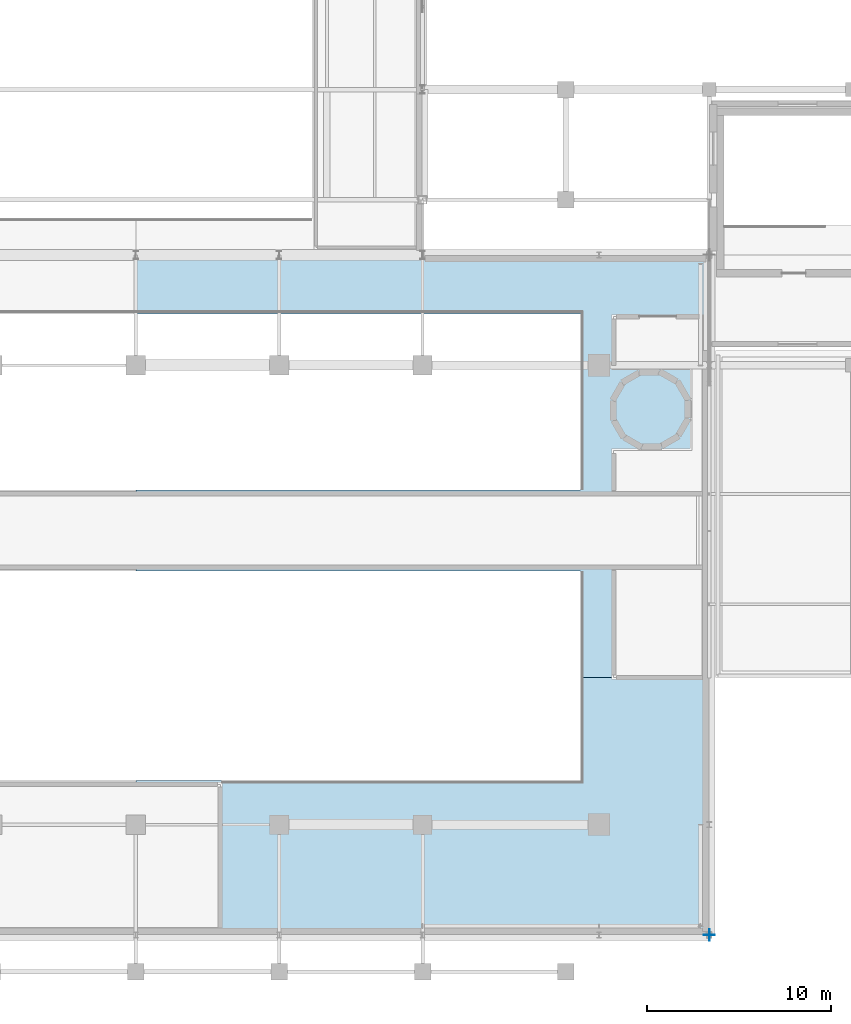
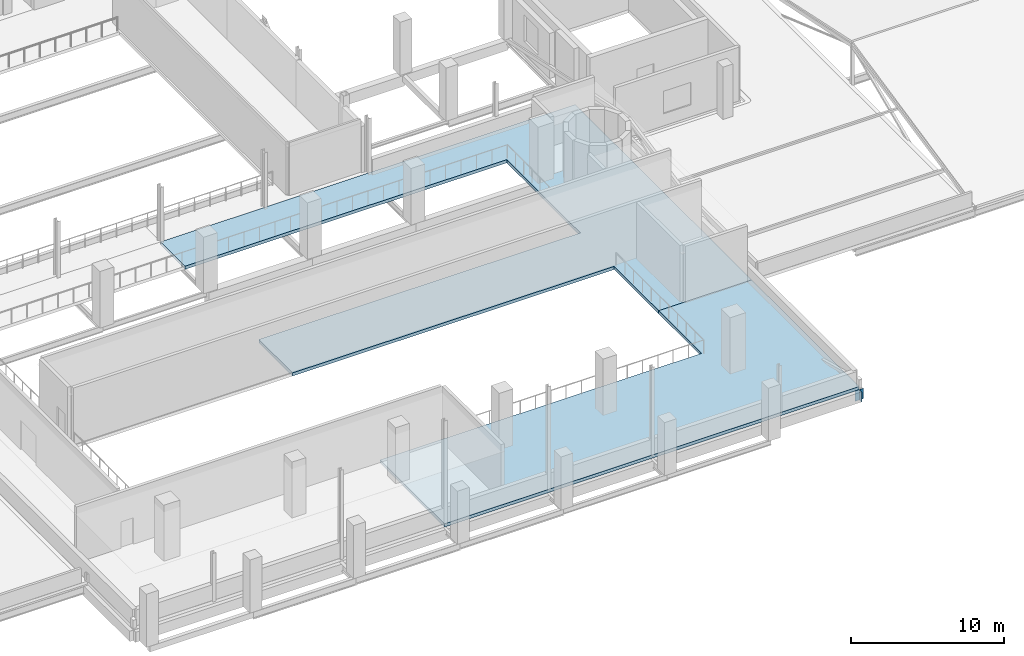
# One storey, part 56 of 85: 2 plates, 2 slabs.
"""IFC4 building model written with IfcOpenShell, lengths in metres."""

from ifc_helpers import new_model, si_unit, derived_unit, direction, frame, origin, origin_2d, place, context, subcontext, project, spatial, polyline, rectangle, outline, extrude, material, layer, layer_set, type_object, element, save


model = new_model("IFC4")

# Units and contexts
model_context = context("Model", 3, precision=1e-05, world=origin(), true_north=direction((0.0, 1.0)))
body_context = subcontext(model_context, "Body", "Model", "MODEL_VIEW")
ifc_project = project(units=[si_unit("LENGTHUNIT", "METRE"), si_unit("AREAUNIT", "SQUARE_METRE"), si_unit("VOLUMEUNIT", "CUBIC_METRE"), si_unit("PLANEANGLEUNIT", "RADIAN"), si_unit("MASSUNIT", "GRAM", prefix="KILO"), derived_unit("THERMALTRANSMITTANCEUNIT", [(si_unit("POWERUNIT", "WATT"), 1), (si_unit("LENGTHUNIT", "METRE"), -2), (si_unit("THERMODYNAMICTEMPERATUREUNIT", "KELVIN"), -1)])], contexts=[model_context])

# Site, building, storey
site_placement = place(None, origin())
site = spatial("IfcSite", under=ifc_project, at=site_placement, CompositionType="ELEMENT")
building_placement = place(site_placement, origin())
building = spatial("IfcBuilding", under=site, at=building_placement, Name="Nallur Shell Playhouse", CompositionType="ELEMENT")
storey_placement = place(building_placement, frame((0.0, 0.0, 19.800048828125)))
storey = spatial("IfcBuildingStorey", under=building, at=storey_placement, Name="L05", CompositionType="ELEMENT", Elevation=19.800048828125)

# Plates
ifc_material_1 = material(Name="Steel E350", Category="steel")
ifc_layer_1 = layer(ifc_material_1, 0.02001953125)
ifc_layer_set_1 = layer_set([ifc_layer_1], Name="Steel E350")
plate_type = type_object("IfcPlateType", Name="PT-ENDCAP-20", PredefinedType="SHEET", material=ifc_layer_set_1)
plate_1_placement = place(storey_placement, frame((118.610107421875, 10.0, -1.06005859375), z_axis=(0.0, 0.0, 1.0), x_axis=(1.0, 0.0, 0.0)))
element("IfcPlate", 1, at=plate_1_placement, inside=storey, type_object=plate_type, Name="Hollow end cap EC-GB-L05-SB", PredefinedType="SHEET", context=body_context, shape_type="SweptSolid", body=[
    extrude(rectangle(XDim=0.02001953125, YDim=0.6201171875, at=origin_2d()), origin(), (0.0, 0.0, 1.0), 0.820068359375),
])
plate_2_placement = place(storey_placement, frame((118.60009765625, 9.989990234375, -1.06005859375), z_axis=(0.0, 0.0, 1.0), x_axis=(1.0, 0.0, 0.0)))
element("IfcPlate", 2, at=plate_2_placement, inside=storey, type_object=plate_type, Name="Hollow end cap EC-GB-L05-EA", PredefinedType="SHEET", context=body_context, shape_type="SweptSolid", body=[
    extrude(rectangle(XDim=0.6201171875, YDim=0.02001953125, at=origin_2d()), origin(), (0.0, 0.0, 1.0), 0.820068359375),
])

# Slabs
ifc_material_2 = material(Name="Concrete M30", Category="concrete")
ifc_layer_2 = layer(ifc_material_2, 0.25)
ifc_layer_set_2 = layer_set([ifc_layer_2], Name="Concrete M30")
slab_type = type_object("IfcSlabType", Name="SL-UPPER-250", PredefinedType="FLOOR", material=ifc_layer_set_2)
slab_1_placement = place(storey_placement, frame((0.0, 0.0, -0.25)))
element("IfcSlab", 3, at=slab_1_placement, inside=storey, type_object=slab_type, Name="L05 structural floor slab panel 11", PredefinedType="FLOOR", context=body_context, shape_type="SweptSolid", body=[
    extrude(outline(polyline([(118.60009765625, 10.0), (87.39990234375, 10.0), (87.39990234375, 18.39990234375), (111.60009765625, 18.39990234375), (111.60009765625, 24.0), (118.60009765625, 24.0), (118.60009765625, 10.0)])), origin(), (0.0, 0.0, 1.0), 0.25),
])
slab_2_placement = place(storey_placement, frame((0.0, 0.0, -0.25)))
element("IfcSlab", 4, at=slab_2_placement, inside=storey, type_object=slab_type, Name="L05 structural floor slab panel 12", PredefinedType="FLOOR", context=body_context, shape_type="SweptSolid", body=[
    extrude(outline(polyline([(118.60009765625, 47.0), (118.60009765625, 42.0), (118.60009765625, 24.0), (111.60009765625, 24.0), (111.60009765625, 29.800048828125), (87.39990234375, 29.800048828125), (87.39990234375, 34.199951171875), (111.60009765625, 34.199951171875), (111.60009765625, 43.800048828125), (87.39990234375, 43.800048828125), (87.39990234375, 47.0), (103.0, 47.0), (118.60009765625, 47.0)])), origin(), (0.0, 0.0, 1.0), 0.25),
])

save(model, "model.ifc")
